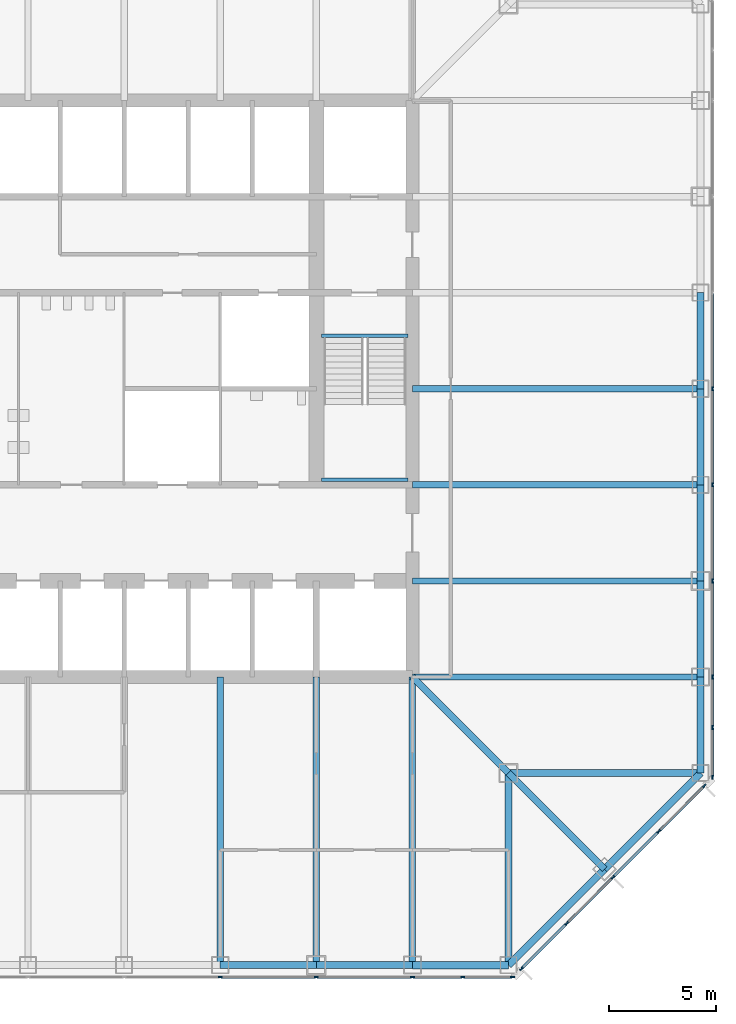
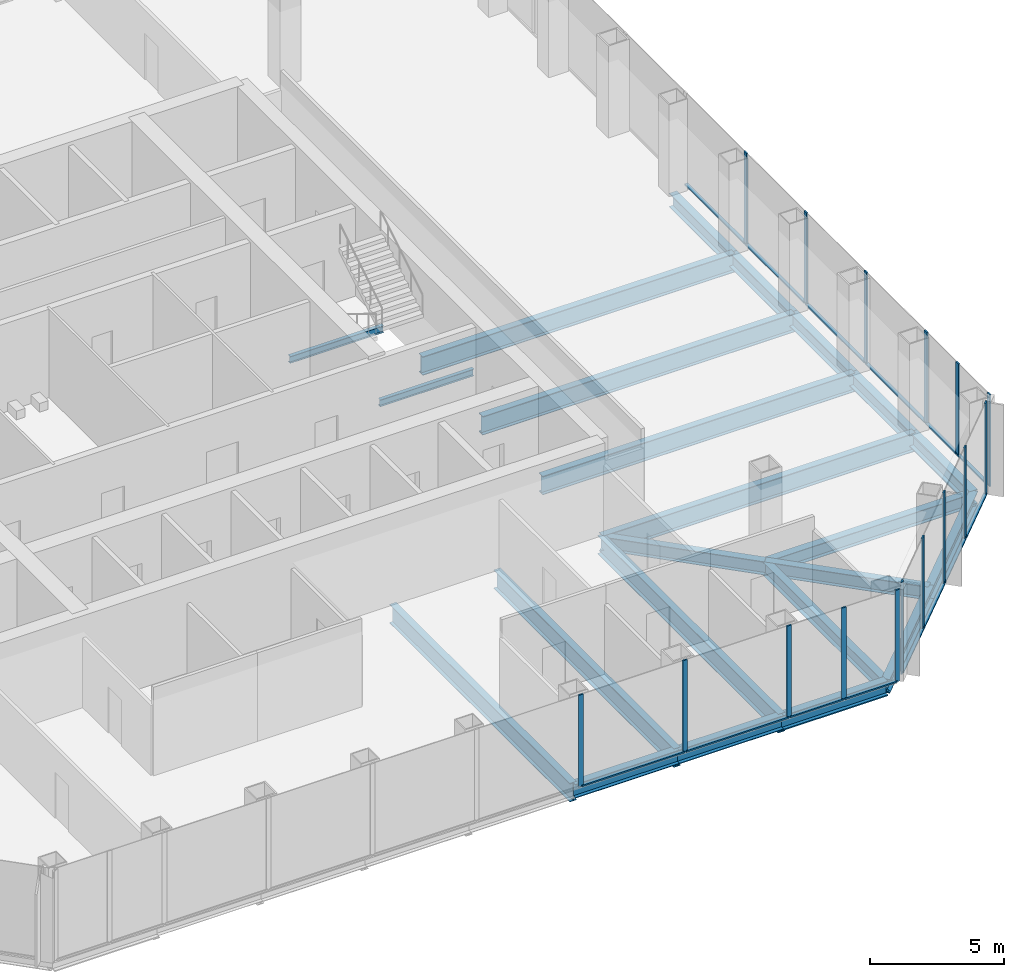
# One storey, part 4 of 12: 30 members, 23 beams, 3 elements without a shape of their own.
"""IFC4 building model written with IfcOpenShell, lengths in metres."""

from ifc_helpers import new_model, si_unit, direction, frame, origin, origin_2d, place, context, subcontext, project, spatial, rectangle, i_section, extrude, material, material_profile, profile_set, type_object, element, aggregate, save


model = new_model("IFC4")

# Units and contexts
model_context = context("Model", 3, precision=1e-05, world=origin(), true_north=direction((0.0, 1.0)))
body_context = subcontext(model_context, "Body", "Model", "MODEL_VIEW")
ifc_project = project(units=[si_unit("LENGTHUNIT", "METRE"), si_unit("AREAUNIT", "SQUARE_METRE"), si_unit("VOLUMEUNIT", "CUBIC_METRE"), si_unit("PLANEANGLEUNIT", "RADIAN"), si_unit("MASSUNIT", "GRAM", prefix="KILO")], contexts=[model_context])

# Site, building, storey
site_placement = place(None, origin())
site = spatial("IfcSite", under=ifc_project, at=site_placement, CompositionType="ELEMENT")
building_placement = place(site_placement, origin())
building = spatial("IfcBuilding", under=site, at=building_placement, Name="Corais Broadcast Tower", CompositionType="ELEMENT")
storey_placement = place(building_placement, frame((0.0, 0.0, 50.0)))
storey = spatial("IfcBuildingStorey", under=building, at=storey_placement, Name="L10", CompositionType="ELEMENT", Elevation=50.0)

# Beams
ifc_material_1 = material(Name="Steel ASTM A572 Grade 50", Category="steel")
ifc_material_profile_1 = material_profile(ifc_material_1, i_section(OverallWidth=0.323974609375, OverallDepth=0.611083984375, WebThickness=0.0126953125, FlangeThickness=0.01904296875, at=origin_2d()), Name="W610x155")
ifc_profile_set_1 = profile_set([ifc_material_profile_1], Name="Steel ASTM A572 Grade 50")
beam_type_1 = type_object("IfcBeamType", Name="Chamfer tie W610x155", PredefinedType="BEAM", material=ifc_profile_set_1)
beam_1_placement = place(storey_placement, frame((49.5, 4.5, -0.465576171875), z_axis=(-0.707106781187, 0.707106781187, 0.0), x_axis=(-0.707106781187, -0.707106781187, 0.0)))
element("IfcBeam", 1, at=beam_1_placement, inside=storey, type_object=beam_type_1, Name="B5 B/14 to C/13", PredefinedType="BEAM", context=body_context, shape_type="SweptSolid", body=[
    extrude(i_section(OverallWidth=0.323974609375, OverallDepth=0.611083984375, WebThickness=0.0126953125, FlangeThickness=0.01904296875, at=origin_2d()), origin(), (0.0, 0.0, 1.0), 6.364013671875),
])
ifc_material_2 = material(Name="Steel ASTM A572 Grade 50", Category="steel")
ifc_material_profile_2 = material_profile(ifc_material_2, i_section(OverallWidth=0.323974609375, OverallDepth=0.611083984375, WebThickness=0.0126953125, FlangeThickness=0.01904296875, at=origin_2d()), Name="W610x155")
ifc_profile_set_2 = profile_set([ifc_material_profile_2], Name="Steel ASTM A572 Grade 50")
beam_type_2 = type_object("IfcBeamType", Name="Corner diagonal W610x155", PredefinedType="BEAM", material=ifc_profile_set_2)
beam_2_placement = place(storey_placement, frame((45.0, 9.0, -0.465576171875), z_axis=(-0.707106781187, 0.707106781187, 0.0), x_axis=(-0.707106781187, -0.707106781187, 0.0)))
element("IfcBeam", 2, at=beam_2_placement, inside=storey, type_object=beam_type_2, Name="B6 C/13 to D/12", PredefinedType="BEAM", context=body_context, shape_type="SweptSolid", body=[
    extrude(i_section(OverallWidth=0.323974609375, OverallDepth=0.611083984375, WebThickness=0.0126953125, FlangeThickness=0.01904296875, at=origin_2d()), origin(), (0.0, 0.0, 1.0), 6.364013671875),
])
ifc_material_3 = material(Name="Steel ASTM A572 Grade 50", Category="steel")
ifc_material_profile_3 = material_profile(ifc_material_3, i_section(OverallWidth=0.323974609375, OverallDepth=0.611083984375, WebThickness=0.0126953125, FlangeThickness=0.01904296875, at=origin_2d()), Name="W610x155")
ifc_profile_set_3 = profile_set([ifc_material_profile_3], Name="Steel ASTM A572 Grade 50")
beam_type_3 = type_object("IfcBeamType", Name="Corner girder W610x155", PredefinedType="BEAM", material=ifc_profile_set_3)
for number, where, z_axis, x_axis, name in (
    (3, (45.0, 0.0, -0.465576171875), (0.0, 1.0, 0.0), (-1.0, 0.0, 0.0), "B4 A/13 to C/13"),
    (4, (54.0, 9.0, -0.465576171875), (-1.0, 0.0, 0.0), (0.0, -1.0, 0.0), "B4 C/15 to C/13"),
):
    element("IfcBeam", number, at=place(storey_placement, frame(where, z_axis=z_axis, x_axis=x_axis)), inside=storey, type_object=beam_type_3, Name=name, PredefinedType="BEAM", context=body_context, shape_type="SweptSolid", body=[
        extrude(i_section(OverallWidth=0.323974609375, OverallDepth=0.611083984375, WebThickness=0.0126953125, FlangeThickness=0.01904296875, at=origin_2d()), origin(), (0.0, 0.0, 1.0), 9.0),
    ])
ifc_material_4 = material(Name="Steel ASTM A572 Grade 50", Category="steel")
ifc_material_profile_4 = material_profile(ifc_material_4, i_section(OverallWidth=0.337890625, OverallDepth=0.677978515625, WebThickness=0.029541015625, FlangeThickness=0.052978515625, at=origin_2d()), Name="W610x415")
ifc_profile_set_4 = profile_set([ifc_material_profile_4], Name="Steel ASTM A572 Grade 50")
beam_type_4 = type_object("IfcBeamType", Name="Corner spandrel W610x415", PredefinedType="BEAM", material=ifc_profile_set_4)
for number, where, z_axis, x_axis, name in (
    (5, (40.5, 0.0, -0.4990234375), (1.0, 0.0, 0.0), (0.0, 1.0, 0.0), "SB10 A/12 to A/13"),
    (6, (54.0, 9.0, -0.4990234375), (0.0, 1.0, 0.0), (-1.0, 0.0, 0.0), "SB10 C/15 to D/15"),
):
    element("IfcBeam", number, at=place(storey_placement, frame(where, z_axis=z_axis, x_axis=x_axis)), inside=storey, type_object=beam_type_4, Name=name, PredefinedType="BEAM", context=body_context, shape_type="SweptSolid", body=[
        extrude(i_section(OverallWidth=0.337890625, OverallDepth=0.677978515625, WebThickness=0.029541015625, FlangeThickness=0.052978515625, at=origin_2d()), origin(), (0.0, 0.0, 1.0), 4.5),
    ])
ifc_material_5 = material(Name="Steel ASTM A572 Grade 50", Category="steel")
ifc_material_profile_5 = material_profile(ifc_material_5, i_section(OverallWidth=0.2939453125, OverallDepth=0.85107421875, WebThickness=0.01611328125, FlangeThickness=0.02685546875, at=origin_2d()), Name="W840x226")
ifc_profile_set_5 = profile_set([ifc_material_profile_5], Name="Steel ASTM A572 Grade 50")
beam_type_5 = type_object("IfcBeamType", Name="Floor beam W840x226", PredefinedType="BEAM", material=ifc_profile_set_5)
for number, where, z_axis, x_axis, name in (
    (7, (31.5, 0.0, -0.58544921875), (0.0, 1.0, 0.0), (-1.0, 0.0, 0.0), "B1 A/10 to D/10"),
    (8, (36.0, 0.0, -0.58544921875), (0.0, 1.0, 0.0), (-1.0, 0.0, 0.0), "B1 A/11 to D/11"),
    (9, (40.5, 0.0, -0.58544921875), (0.0, 1.0, 0.0), (-1.0, 0.0, 0.0), "B1 A/12 to D/12"),
    (10, (54.0, 13.5, -0.58544921875), (-1.0, 0.0, 0.0), (0.0, -1.0, 0.0), "B1 D/15 to D/12"),
    (11, (54.0, 18.0, -0.58544921875), (-1.0, 0.0, 0.0), (0.0, -1.0, 0.0), "B1 E/15 to E/12"),
    (12, (54.0, 22.5, -0.58544921875), (-1.0, 0.0, 0.0), (0.0, -1.0, 0.0), "B1 F/15 to F/12"),
    (13, (54.0, 27.0, -0.58544921875), (-1.0, 0.0, 0.0), (0.0, -1.0, 0.0), "B1 G/15 to G/12"),
):
    element("IfcBeam", number, at=place(storey_placement, frame(where, z_axis=z_axis, x_axis=x_axis)), inside=storey, type_object=beam_type_5, Name=name, PredefinedType="BEAM", context=body_context, shape_type="SweptSolid", body=[
        extrude(i_section(OverallWidth=0.2939453125, OverallDepth=0.85107421875, WebThickness=0.01611328125, FlangeThickness=0.02685546875, at=origin_2d()), origin(), (0.0, 0.0, 1.0), 13.5),
    ])
ifc_material_6 = material(Name="Steel ASTM A572 Grade 50", Category="steel")
ifc_material_profile_6 = material_profile(ifc_material_6, i_section(OverallWidth=0.1650390625, OverallDepth=0.31005859375, WebThickness=0.005859375, FlangeThickness=0.009765625, at=origin_2d()), Name="W310x38.7")
ifc_profile_set_6 = profile_set([ifc_material_profile_6], Name="Steel ASTM A572 Grade 50")
beam_type_6 = type_object("IfcBeamType", Name="Landing trimmer W310x38.7", PredefinedType="BEAM", material=ifc_profile_set_6)
for number, where, z_axis, x_axis, name in (
    (14, (36.25, 29.47509765625, -0.35498046875), (1.0, 0.0, 0.0), (0.0, 1.0, 0.0), "LT1 stair B landing trimmer L10"),
    (15, (36.25, 22.739990234375, 1.7451171875), (1.0, 0.0, 0.0), (0.0, 1.0, 0.0), "LT1 stair B half landing trimmer L10"),
):
    element("IfcBeam", number, at=place(storey_placement, frame(where, z_axis=z_axis, x_axis=x_axis)), inside=storey, type_object=beam_type_6, Name=name, PredefinedType="BEAM", context=body_context, shape_type="SweptSolid", body=[
        extrude(i_section(OverallWidth=0.1650390625, OverallDepth=0.31005859375, WebThickness=0.005859375, FlangeThickness=0.009765625, at=origin_2d()), origin(), (0.0, 0.0, 1.0), 4.050048828125),
    ])

# Curtain wall, members
ifc_material_7 = material(Name="Aluminium and glass", Category="aluminium")
curtain_wall_type = type_object("IfcCurtainWallType", Name="Unitised fritted curtain wall CW1", PredefinedType="NOTDEFINED", material=ifc_material_7)
curtain_wall_1_placement = place(storey_placement, origin())
curtain_wall_1 = element("IfcCurtainWall", 16, at=curtain_wall_1_placement, inside=storey, type_object=curtain_wall_type, Name="CW1 curtain wall L10 6", PredefinedType="NOTDEFINED")
ifc_material_8 = material(Name="Aluminium 6063-T6", Category="aluminium")
ifc_material_profile_7 = material_profile(ifc_material_8, rectangle(XDim=0.06494140625, YDim=0.199951171875, at=origin_2d()), Name="Mullion CW1 65x200")
ifc_profile_set_7 = profile_set([ifc_material_profile_7], Name="Aluminium 6063-T6")
member_type_1 = type_object("IfcMemberType", Name="Mullion CW1 65x200", PredefinedType="MULLION", material=ifc_profile_set_7)
member_1_placement = place(storey_placement, frame((54.550048828125, 27.0, 0.0), z_axis=(0.0, 0.0, 1.0), x_axis=(1.0, 0.0, 0.0)))
member_1 = element("IfcMember", 17, at=member_1_placement, type_object=member_type_1, Name="CW1 mullion 6", PredefinedType="MULLION", context=body_context, shape_type="SweptSolid", body=[
    extrude(rectangle(XDim=0.06494140625, YDim=0.199951171875, at=origin_2d()), origin(), (0.0, 0.0, 1.0), 4.199951171875),
])
member_2_placement = place(storey_placement, frame((54.550048828125, 22.5, 0.0), z_axis=(0.0, 0.0, 1.0), x_axis=(1.0, 0.0, 0.0)))
member_2 = element("IfcMember", 18, at=member_2_placement, type_object=member_type_1, Name="CW1 mullion 7", PredefinedType="MULLION", context=body_context, shape_type="SweptSolid", body=[
    extrude(rectangle(XDim=0.06494140625, YDim=0.199951171875, at=origin_2d()), origin(), (0.0, 0.0, 1.0), 4.199951171875),
])
member_3_placement = place(storey_placement, frame((54.550048828125, 18.0, 0.0), z_axis=(0.0, 0.0, 1.0), x_axis=(1.0, 0.0, 0.0)))
member_3 = element("IfcMember", 19, at=member_3_placement, type_object=member_type_1, Name="CW1 mullion 8", PredefinedType="MULLION", context=body_context, shape_type="SweptSolid", body=[
    extrude(rectangle(XDim=0.06494140625, YDim=0.199951171875, at=origin_2d()), origin(), (0.0, 0.0, 1.0), 4.199951171875),
])
member_4_placement = place(storey_placement, frame((54.550048828125, 13.5, 0.0), z_axis=(0.0, 0.0, 1.0), x_axis=(1.0, 0.0, 0.0)))
member_4 = element("IfcMember", 20, at=member_4_placement, type_object=member_type_1, Name="CW1 mullion 9", PredefinedType="MULLION", context=body_context, shape_type="SweptSolid", body=[
    extrude(rectangle(XDim=0.06494140625, YDim=0.199951171875, at=origin_2d()), origin(), (0.0, 0.0, 1.0), 4.199951171875),
])
member_5_placement = place(storey_placement, frame((54.550048828125, 11.135986328125, 0.0), z_axis=(0.0, 0.0, 1.0), x_axis=(1.0, 0.0, 0.0)))
member_5 = element("IfcMember", 21, at=member_5_placement, type_object=member_type_1, Name="CW1 mullion 10", PredefinedType="MULLION", context=body_context, shape_type="SweptSolid", body=[
    extrude(rectangle(XDim=0.06494140625, YDim=0.199951171875, at=origin_2d()), origin(), (0.0, 0.0, 1.0), 4.199951171875),
])
member_6_placement = place(storey_placement, frame((54.550048828125, 8.8046875, 0.0), z_axis=(0.0, 0.0, 1.0), x_axis=(1.0, 0.0, 0.0)))
member_6 = element("IfcMember", 22, at=member_6_placement, type_object=member_type_1, Name="CW1 mullion 11", PredefinedType="MULLION", context=body_context, shape_type="SweptSolid", body=[
    extrude(rectangle(XDim=0.06494140625, YDim=0.199951171875, at=origin_2d()), origin(), (0.0, 0.0, 1.0), 4.199951171875),
])

curtain_wall_2_placement = place(storey_placement, origin())
curtain_wall_2 = element("IfcCurtainWall", 23, at=curtain_wall_2_placement, inside=storey, type_object=curtain_wall_type, Name="CW1 curtain wall L10 7", PredefinedType="NOTDEFINED")
member_7_placement = place(storey_placement, frame((54.17333984375, 8.3955078125, 0.0), z_axis=(0.0, 0.0, 1.0), x_axis=(0.707106781187, -0.707106781187, 0.0)))
member_7 = element("IfcMember", 24, at=member_7_placement, type_object=member_type_1, Name="CW1 mullion 1", PredefinedType="MULLION", context=body_context, shape_type="SweptSolid", body=[
    extrude(rectangle(XDim=0.06494140625, YDim=0.199951171875, at=origin_2d()), origin(), (0.0, 0.0, 1.0), 4.199951171875),
])
member_8_placement = place(storey_placement, frame((52.042724609375, 6.264892578125, 0.0), z_axis=(0.0, 0.0, 1.0), x_axis=(0.707106781187, -0.707106781187, 0.0)))
member_8 = element("IfcMember", 25, at=member_8_placement, type_object=member_type_1, Name="CW1 mullion 2", PredefinedType="MULLION", context=body_context, shape_type="SweptSolid", body=[
    extrude(rectangle(XDim=0.06494140625, YDim=0.199951171875, at=origin_2d()), origin(), (0.0, 0.0, 1.0), 4.199951171875),
])
member_9_placement = place(storey_placement, frame((49.888916015625, 4.111083984375, 0.0), z_axis=(0.0, 0.0, 1.0), x_axis=(0.707106781187, -0.707106781187, 0.0)))
member_9 = element("IfcMember", 26, at=member_9_placement, type_object=member_type_1, Name="CW1 mullion 3", PredefinedType="MULLION", context=body_context, shape_type="SweptSolid", body=[
    extrude(rectangle(XDim=0.06494140625, YDim=0.199951171875, at=origin_2d()), origin(), (0.0, 0.0, 1.0), 4.199951171875),
])
member_10_placement = place(storey_placement, frame((47.735107421875, 1.957275390625, 0.0), z_axis=(0.0, 0.0, 1.0), x_axis=(0.707106781187, -0.707106781187, 0.0)))
member_10 = element("IfcMember", 27, at=member_10_placement, type_object=member_type_1, Name="CW1 mullion 4", PredefinedType="MULLION", context=body_context, shape_type="SweptSolid", body=[
    extrude(rectangle(XDim=0.06494140625, YDim=0.199951171875, at=origin_2d()), origin(), (0.0, 0.0, 1.0), 4.199951171875),
])
member_11_placement = place(storey_placement, frame((45.6044921875, -0.17333984375, 0.0), z_axis=(0.0, 0.0, 1.0), x_axis=(0.707106781187, -0.707106781187, 0.0)))
member_11 = element("IfcMember", 28, at=member_11_placement, type_object=member_type_1, Name="CW1 mullion 5", PredefinedType="MULLION", context=body_context, shape_type="SweptSolid", body=[
    extrude(rectangle(XDim=0.06494140625, YDim=0.199951171875, at=origin_2d()), origin(), (0.0, 0.0, 1.0), 4.199951171875),
])

curtain_wall_3_placement = place(storey_placement, origin())
curtain_wall_3 = element("IfcCurtainWall", 29, at=curtain_wall_3_placement, inside=storey, type_object=curtain_wall_type, Name="CW1 curtain wall L10 8", PredefinedType="NOTDEFINED")
member_12_placement = place(storey_placement, frame((45.1953125, -0.550048828125, 0.0), z_axis=(0.0, 0.0, 1.0), x_axis=(0.0, -1.0, 0.0)))
member_12 = element("IfcMember", 30, at=member_12_placement, type_object=member_type_1, Name="CW1 mullion 1", PredefinedType="MULLION", context=body_context, shape_type="SweptSolid", body=[
    extrude(rectangle(XDim=0.06494140625, YDim=0.199951171875, at=origin_2d()), origin(), (0.0, 0.0, 1.0), 4.199951171875),
])
member_13_placement = place(storey_placement, frame((42.864013671875, -0.550048828125, 0.0), z_axis=(0.0, 0.0, 1.0), x_axis=(0.0, -1.0, 0.0)))
member_13 = element("IfcMember", 31, at=member_13_placement, type_object=member_type_1, Name="CW1 mullion 2", PredefinedType="MULLION", context=body_context, shape_type="SweptSolid", body=[
    extrude(rectangle(XDim=0.06494140625, YDim=0.199951171875, at=origin_2d()), origin(), (0.0, 0.0, 1.0), 4.199951171875),
])
member_14_placement = place(storey_placement, frame((40.5, -0.550048828125, 0.0), z_axis=(0.0, 0.0, 1.0), x_axis=(0.0, -1.0, 0.0)))
member_14 = element("IfcMember", 32, at=member_14_placement, type_object=member_type_1, Name="CW1 mullion 3", PredefinedType="MULLION", context=body_context, shape_type="SweptSolid", body=[
    extrude(rectangle(XDim=0.06494140625, YDim=0.199951171875, at=origin_2d()), origin(), (0.0, 0.0, 1.0), 4.199951171875),
])
member_15_placement = place(storey_placement, frame((36.0, -0.550048828125, 0.0), z_axis=(0.0, 0.0, 1.0), x_axis=(0.0, -1.0, 0.0)))
member_15 = element("IfcMember", 33, at=member_15_placement, type_object=member_type_1, Name="CW1 mullion 4", PredefinedType="MULLION", context=body_context, shape_type="SweptSolid", body=[
    extrude(rectangle(XDim=0.06494140625, YDim=0.199951171875, at=origin_2d()), origin(), (0.0, 0.0, 1.0), 4.199951171875),
])
member_16_placement = place(storey_placement, frame((31.5, -0.550048828125, 0.0), z_axis=(0.0, 0.0, 1.0), x_axis=(0.0, -1.0, 0.0)))
member_16 = element("IfcMember", 34, at=member_16_placement, type_object=member_type_1, Name="CW1 mullion 5", PredefinedType="MULLION", context=body_context, shape_type="SweptSolid", body=[
    extrude(rectangle(XDim=0.06494140625, YDim=0.199951171875, at=origin_2d()), origin(), (0.0, 0.0, 1.0), 4.199951171875),
])

# Beams
ifc_material_9 = material(Name="Steel ASTM A572 Grade 50", Category="steel")
ifc_material_profile_8 = material_profile(ifc_material_9, i_section(OverallWidth=0.3291015625, OverallDepth=0.635009765625, WebThickness=0.017822265625, FlangeThickness=0.031005859375, at=origin_2d()), Name="W610x241")
ifc_profile_set_8 = profile_set([ifc_material_profile_8], Name="Steel ASTM A572 Grade 50")
beam_type_7 = type_object("IfcBeamType", Name="Spandrel W610x241", PredefinedType="BEAM", material=ifc_profile_set_8)
for number, where, z_axis, x_axis, name in (
    (35, (31.5, 0.0, -0.4775390625), (1.0, 0.0, 0.0), (0.0, 1.0, 0.0), "SB1 A/10 to A/11"),
    (36, (36.0, 0.0, -0.4775390625), (1.0, 0.0, 0.0), (0.0, 1.0, 0.0), "SB1 A/11 to A/12"),
):
    element("IfcBeam", number, at=place(storey_placement, frame(where, z_axis=z_axis, x_axis=x_axis)), inside=storey, type_object=beam_type_7, Name=name, PredefinedType="BEAM", context=body_context, shape_type="SweptSolid", body=[
        extrude(i_section(OverallWidth=0.3291015625, OverallDepth=0.635009765625, WebThickness=0.017822265625, FlangeThickness=0.031005859375, at=origin_2d()), origin(), (0.0, 0.0, 1.0), 4.5),
    ])
for number, where, z_axis, x_axis, name in (
    (37, (45.0, 0.0, -0.4775390625), (0.707106781187, 0.707106781187, 0.0), (-0.707106781187, 0.707106781187, 0.0), "SB1 A/13 to B/14"),
    (38, (49.5, 4.5, -0.4775390625), (0.707106781187, 0.707106781187, 0.0), (-0.707106781187, 0.707106781187, 0.0), "SB1 B/14 to C/15"),
):
    element("IfcBeam", number, at=place(storey_placement, frame(where, z_axis=z_axis, x_axis=x_axis)), inside=storey, type_object=beam_type_7, Name=name, PredefinedType="BEAM", context=body_context, shape_type="SweptSolid", body=[
        extrude(i_section(OverallWidth=0.3291015625, OverallDepth=0.635009765625, WebThickness=0.017822265625, FlangeThickness=0.031005859375, at=origin_2d()), origin(), (0.0, 0.0, 1.0), 6.364013671875),
    ])
for number, where, z_axis, x_axis, name in (
    (39, (54.0, 13.5, -0.4775390625), (0.0, 1.0, 0.0), (-1.0, 0.0, 0.0), "SB1 D/15 to E/15"),
    (40, (54.0, 18.0, -0.4775390625), (0.0, 1.0, 0.0), (-1.0, 0.0, 0.0), "SB1 E/15 to F/15"),
    (41, (54.0, 22.5, -0.4775390625), (0.0, 1.0, 0.0), (-1.0, 0.0, 0.0), "SB1 F/15 to G/15"),
    (42, (54.0, 27.0, -0.4775390625), (0.0, 1.0, 0.0), (-1.0, 0.0, 0.0), "SB1 G/15 to H/15"),
):
    element("IfcBeam", number, at=place(storey_placement, frame(where, z_axis=z_axis, x_axis=x_axis)), inside=storey, type_object=beam_type_7, Name=name, PredefinedType="BEAM", context=body_context, shape_type="SweptSolid", body=[
        extrude(i_section(OverallWidth=0.3291015625, OverallDepth=0.635009765625, WebThickness=0.017822265625, FlangeThickness=0.031005859375, at=origin_2d()), origin(), (0.0, 0.0, 1.0), 4.5),
    ])

# Member
ifc_material_10 = material(Name="Aluminium 6063-T6", Category="aluminium")
ifc_material_profile_9 = material_profile(ifc_material_10, rectangle(XDim=0.139892578125, YDim=0.06494140625, at=origin_2d()), Name="Transom CW1 65x140")
ifc_profile_set_9 = profile_set([ifc_material_profile_9], Name="Aluminium 6063-T6")
member_type_2 = type_object("IfcMemberType", Name="Transom CW1 65x140", PredefinedType="USERDEFINED", material=ifc_profile_set_9)
member_17_placement = place(storey_placement, frame((54.550048828125, 31.467529296875, 0.032470703125), z_axis=(0.0, -1.0, 0.0), x_axis=(1.0, 0.0, 0.0)))
member_17 = element("IfcMember", 43, at=member_17_placement, type_object=member_type_2, Name="CW1 transom 5.1", ObjectType="TRANSOM", PredefinedType="USERDEFINED", context=body_context, shape_type="SweptSolid", body=[
    extrude(rectangle(XDim=0.139892578125, YDim=0.06494140625, at=origin_2d()), origin(), (0.0, 0.0, 1.0), 4.43505859375),
])

member_18_placement = place(storey_placement, frame((54.550048828125, 26.967529296875, 0.032470703125), z_axis=(0.0, -1.0, 0.0), x_axis=(1.0, 0.0, 0.0)))
member_18 = element("IfcMember", 44, at=member_18_placement, type_object=member_type_2, Name="CW1 transom 6.1", ObjectType="TRANSOM", PredefinedType="USERDEFINED", context=body_context, shape_type="SweptSolid", body=[
    extrude(rectangle(XDim=0.139892578125, YDim=0.06494140625, at=origin_2d()), origin(), (0.0, 0.0, 1.0), 4.43505859375),
])

member_19_placement = place(storey_placement, frame((54.550048828125, 22.467529296875, 0.032470703125), z_axis=(0.0, -1.0, 0.0), x_axis=(1.0, 0.0, 0.0)))
member_19 = element("IfcMember", 45, at=member_19_placement, type_object=member_type_2, Name="CW1 transom 7.1", ObjectType="TRANSOM", PredefinedType="USERDEFINED", context=body_context, shape_type="SweptSolid", body=[
    extrude(rectangle(XDim=0.139892578125, YDim=0.06494140625, at=origin_2d()), origin(), (0.0, 0.0, 1.0), 4.43505859375),
])

member_20_placement = place(storey_placement, frame((54.550048828125, 17.967529296875, 0.032470703125), z_axis=(0.0, -1.0, 0.0), x_axis=(1.0, 0.0, 0.0)))
member_20 = element("IfcMember", 46, at=member_20_placement, type_object=member_type_2, Name="CW1 transom 8.1", ObjectType="TRANSOM", PredefinedType="USERDEFINED", context=body_context, shape_type="SweptSolid", body=[
    extrude(rectangle(XDim=0.139892578125, YDim=0.06494140625, at=origin_2d()), origin(), (0.0, 0.0, 1.0), 4.43505859375),
])

member_21_placement = place(storey_placement, frame((54.550048828125, 13.467529296875, 0.032470703125), z_axis=(0.0, -1.0, 0.0), x_axis=(1.0, 0.0, 0.0)))
member_21 = element("IfcMember", 47, at=member_21_placement, type_object=member_type_2, Name="CW1 transom 9.1", ObjectType="TRANSOM", PredefinedType="USERDEFINED", context=body_context, shape_type="SweptSolid", body=[
    extrude(rectangle(XDim=0.139892578125, YDim=0.06494140625, at=origin_2d()), origin(), (0.0, 0.0, 1.0), 2.298828125),
])

member_22_placement = place(storey_placement, frame((54.550048828125, 11.103515625, 0.032470703125), z_axis=(0.0, -1.0, 0.0), x_axis=(1.0, 0.0, 0.0)))
member_22 = element("IfcMember", 48, at=member_22_placement, type_object=member_type_2, Name="CW1 transom 10.1", ObjectType="TRANSOM", PredefinedType="USERDEFINED", context=body_context, shape_type="SweptSolid", body=[
    extrude(rectangle(XDim=0.139892578125, YDim=0.06494140625, at=origin_2d()), origin(), (0.0, 0.0, 1.0), 2.266357421875),
])

aggregate(curtain_wall_1, [member_1, member_2, member_3, member_4, member_5, member_6, member_17, member_18, member_19, member_20, member_21, member_22])

member_23_placement = place(storey_placement, frame((54.150390625, 8.37255859375, 0.032470703125), z_axis=(-0.707106781187, -0.707106781187, 0.0), x_axis=(0.707106781187, -0.707106781187, 0.0)))
member_23 = element("IfcMember", 49, at=member_23_placement, type_object=member_type_2, Name="CW1 transom 1.1", ObjectType="TRANSOM", PredefinedType="USERDEFINED", context=body_context, shape_type="SweptSolid", body=[
    extrude(rectangle(XDim=0.139892578125, YDim=0.06494140625, at=origin_2d()), origin(), (0.0, 0.0, 1.0), 2.9482421875),
])

member_24_placement = place(storey_placement, frame((52.019775390625, 6.241943359375, 0.032470703125), z_axis=(-0.707106781187, -0.707106781187, 0.0), x_axis=(0.707106781187, -0.707106781187, 0.0)))
member_24 = element("IfcMember", 50, at=member_24_placement, type_object=member_type_2, Name="CW1 transom 2.1", ObjectType="TRANSOM", PredefinedType="USERDEFINED", context=body_context, shape_type="SweptSolid", body=[
    extrude(rectangle(XDim=0.139892578125, YDim=0.06494140625, at=origin_2d()), origin(), (0.0, 0.0, 1.0), 2.98095703125),
])

member_25_placement = place(storey_placement, frame((49.865966796875, 4.088134765625, 0.032470703125), z_axis=(-0.707106781187, -0.707106781187, 0.0), x_axis=(0.707106781187, -0.707106781187, 0.0)))
member_25 = element("IfcMember", 51, at=member_25_placement, type_object=member_type_2, Name="CW1 transom 3.1", ObjectType="TRANSOM", PredefinedType="USERDEFINED", context=body_context, shape_type="SweptSolid", body=[
    extrude(rectangle(XDim=0.139892578125, YDim=0.06494140625, at=origin_2d()), origin(), (0.0, 0.0, 1.0), 2.98095703125),
])

member_26_placement = place(storey_placement, frame((47.712158203125, 1.934326171875, 0.032470703125), z_axis=(-0.707106781187, -0.707106781187, 0.0), x_axis=(0.707106781187, -0.707106781187, 0.0)))
member_26 = element("IfcMember", 52, at=member_26_placement, type_object=member_type_2, Name="CW1 transom 4.1", ObjectType="TRANSOM", PredefinedType="USERDEFINED", context=body_context, shape_type="SweptSolid", body=[
    extrude(rectangle(XDim=0.139892578125, YDim=0.06494140625, at=origin_2d()), origin(), (0.0, 0.0, 1.0), 2.9482421875),
])

aggregate(curtain_wall_2, [member_7, member_8, member_9, member_10, member_11, member_23, member_24, member_25, member_26])

member_27_placement = place(storey_placement, frame((45.162841796875, -0.550048828125, 0.032470703125), z_axis=(-1.0, 0.0, 0.0), x_axis=(0.0, -1.0, 0.0)))
member_27 = element("IfcMember", 53, at=member_27_placement, type_object=member_type_2, Name="CW1 transom 1.1", ObjectType="TRANSOM", PredefinedType="USERDEFINED", context=body_context, shape_type="SweptSolid", body=[
    extrude(rectangle(XDim=0.139892578125, YDim=0.06494140625, at=origin_2d()), origin(), (0.0, 0.0, 1.0), 2.266357421875),
])

member_28_placement = place(storey_placement, frame((42.831298828125, -0.550048828125, 0.032470703125), z_axis=(-1.0, 0.0, 0.0), x_axis=(0.0, -1.0, 0.0)))
member_28 = element("IfcMember", 54, at=member_28_placement, type_object=member_type_2, Name="CW1 transom 2.1", ObjectType="TRANSOM", PredefinedType="USERDEFINED", context=body_context, shape_type="SweptSolid", body=[
    extrude(rectangle(XDim=0.139892578125, YDim=0.06494140625, at=origin_2d()), origin(), (0.0, 0.0, 1.0), 2.298828125),
])

member_29_placement = place(storey_placement, frame((40.467529296875, -0.550048828125, 0.032470703125), z_axis=(-1.0, 0.0, 0.0), x_axis=(0.0, -1.0, 0.0)))
member_29 = element("IfcMember", 55, at=member_29_placement, type_object=member_type_2, Name="CW1 transom 3.1", ObjectType="TRANSOM", PredefinedType="USERDEFINED", context=body_context, shape_type="SweptSolid", body=[
    extrude(rectangle(XDim=0.139892578125, YDim=0.06494140625, at=origin_2d()), origin(), (0.0, 0.0, 1.0), 4.43505859375),
])

member_30_placement = place(storey_placement, frame((35.967529296875, -0.550048828125, 0.032470703125), z_axis=(-1.0, 0.0, 0.0), x_axis=(0.0, -1.0, 0.0)))
member_30 = element("IfcMember", 56, at=member_30_placement, type_object=member_type_2, Name="CW1 transom 4.1", ObjectType="TRANSOM", PredefinedType="USERDEFINED", context=body_context, shape_type="SweptSolid", body=[
    extrude(rectangle(XDim=0.139892578125, YDim=0.06494140625, at=origin_2d()), origin(), (0.0, 0.0, 1.0), 4.43505859375),
])

aggregate(curtain_wall_3, [member_12, member_13, member_14, member_15, member_16, member_27, member_28, member_29, member_30])

save(model, "model.ifc")
